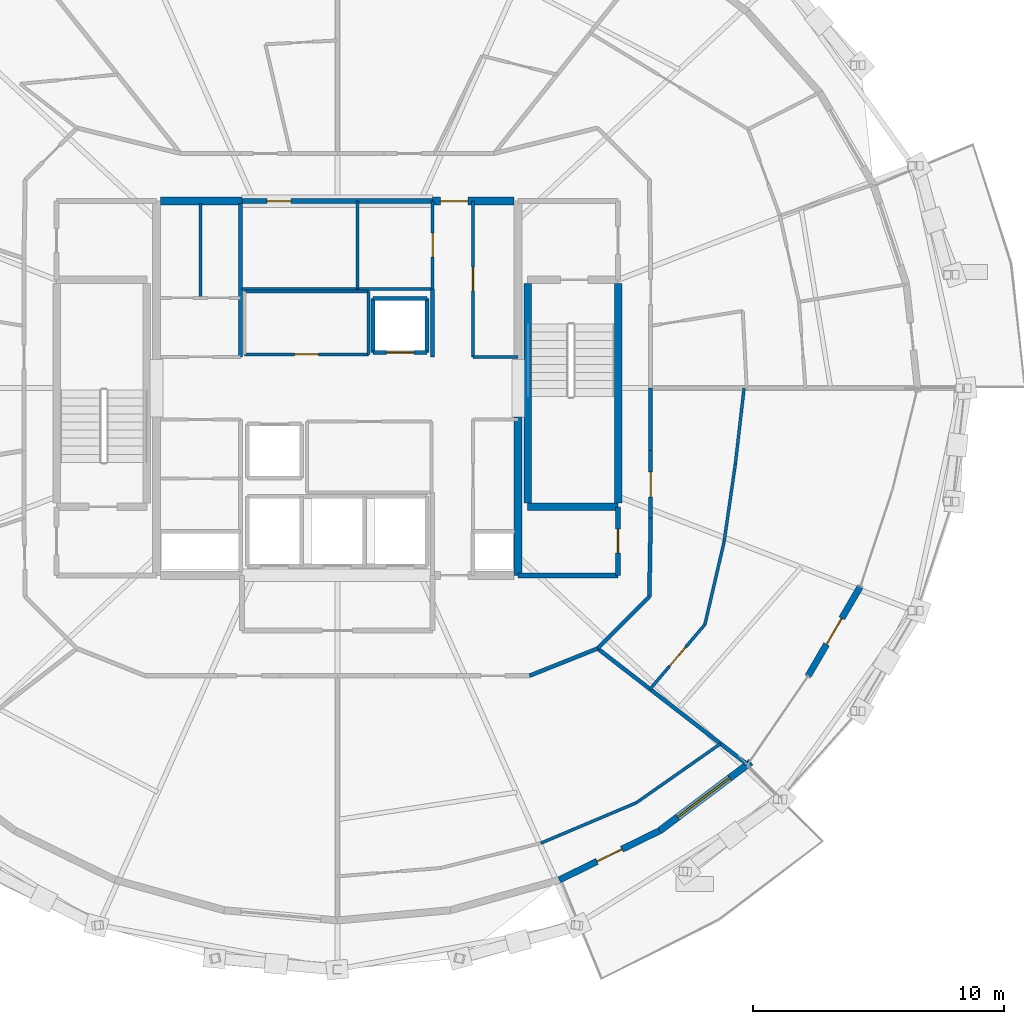
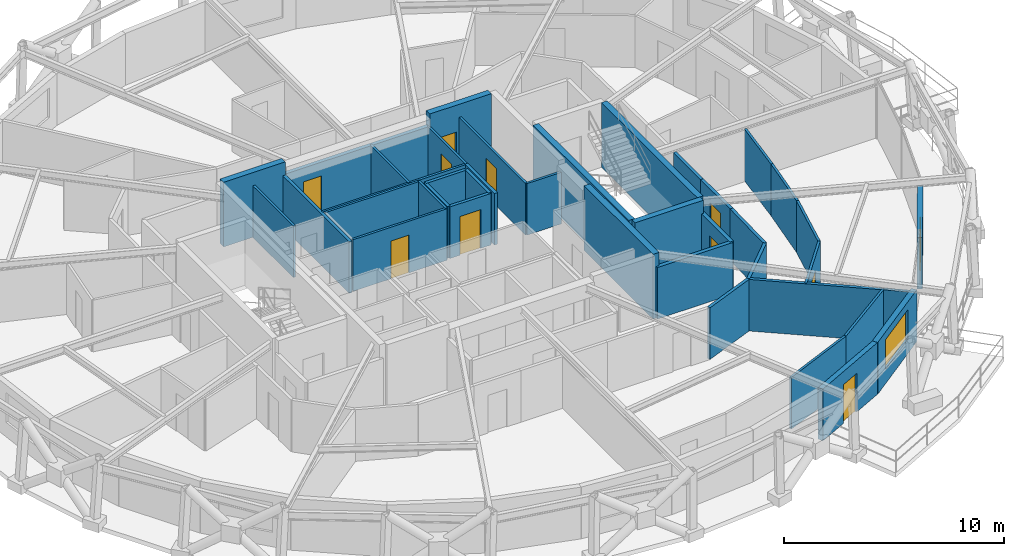
# One storey, part 9 of 12: 39 walls, 11 doors, 1 window, 12 openings.
"""IFC4 building model written with IfcOpenShell, lengths in metres."""

from ifc_helpers import new_model, si_unit, direction, frame, frame_2d, origin, place, context, subcontext, project, spatial, rectangle, extrude, material, layer, layer_set, type_object, element, fill, save


model = new_model("IFC4")

# Units and contexts
model_context = context("Model", 3, precision=1e-05, world=origin(), true_north=direction((0.0, 1.0)))
body_context = subcontext(model_context, "Body", "Model", "MODEL_VIEW")
ifc_project = project(units=[si_unit("LENGTHUNIT", "METRE"), si_unit("AREAUNIT", "SQUARE_METRE"), si_unit("VOLUMEUNIT", "CUBIC_METRE"), si_unit("PLANEANGLEUNIT", "RADIAN"), si_unit("MASSUNIT", "GRAM", prefix="KILO")], contexts=[model_context])

# Site, building, storey
site_placement = place(None, origin())
site = spatial("IfcSite", under=ifc_project, at=site_placement, CompositionType="ELEMENT")
building_placement = place(site_placement, origin())
building = spatial("IfcBuilding", under=site, at=building_placement, Name="Veldorina Hangang Commons", CompositionType="ELEMENT")
storey_placement = place(building_placement, frame((0.0, 0.0, 222.0)))
storey = spatial("IfcBuildingStorey", under=building, at=storey_placement, Name="L57", CompositionType="ELEMENT", Elevation=222.0)

# Walls
ifc_material_1 = material(Name="Concrete C50/60", Category="concrete")
ifc_layer_1 = layer(ifc_material_1, 0.320068359375)
ifc_layer_set_1 = layer_set([ifc_layer_1], Name="Concrete C50/60")
wall_type_1 = type_object("IfcWallType", Name="CW-RC320-C50", PredefinedType="SHEAR", material=ifc_layer_set_1)
wall_1_placement = place(storey_placement, frame((39.199951171875, 16.550048828125, 0.0), z_axis=(0.0, 0.0, 1.0), x_axis=(0.0, 1.0, 0.0)))
element("IfcWall", 1, at=wall_1_placement, inside=storey, type_object=wall_type_1, Name="L57 E south core shear wall", PredefinedType="SHEAR", context=body_context, shape_type="SweptSolid", body=[
    extrude(rectangle(XDim=6.300048828125, YDim=0.320068359375, at=frame_2d((3.14990234375, 0.0))), origin(), (0.0, 0.0, 1.0), 3.60009765625),
])
wall_2_placement = place(storey_placement, frame((24.9599609375, 31.449951171875, 0.0), z_axis=(0.0, 0.0, 1.0), x_axis=(1.0, 0.0, 0.0)))
element("IfcWall", 2, at=wall_2_placement, inside=storey, type_object=wall_type_1, Name="L57 north-west core shear wall", PredefinedType="SHEAR", context=body_context, shape_type="SweptSolid", body=[
    extrude(rectangle(XDim=3.239990234375, YDim=0.320068359375, at=frame_2d((1.6201171875, 0.0))), origin(), (0.0, 0.0, 1.0), 3.60009765625),
])

# Wall, opening, door
wall_3_placement = place(storey_placement, frame((35.800048828125, 31.449951171875, 0.0), z_axis=(0.0, 0.0, 1.0), x_axis=(1.0, 0.0, 0.0)))
wall_3 = element("IfcWall", 3, at=wall_3_placement, inside=storey, type_object=wall_type_1, Name="L57 north-east core shear wall", PredefinedType="SHEAR", context=body_context, shape_type="SweptSolid", body=[
    extrude(rectangle(XDim=3.239990234375, YDim=0.320068359375, at=frame_2d((1.6201171875, 0.0))), origin(), (0.0, 0.0, 1.0), 3.60009765625),
])
opening_1_placement = place(wall_3_placement, frame((0.300048828125, 0.0, 0.0)))
opening_1 = element("IfcOpeningElement", 4, at=opening_1_placement, cuts=wall_3, Name="Opening D-08", PredefinedType="OPENING", context=body_context, shape_type="SweptSolid", body=[
    extrude(rectangle(XDim=1.10009765625, YDim=2.10009765625, at=frame_2d((0.550048828125, 1.050048828125))), frame((0.0, 0.169921875, 0.0), z_axis=(0.0, -1.0, 0.0), x_axis=(1.0, 0.0, 0.0)), (0.0, 0.0, 1.0), 0.340087890625),
])
ifc_material_2 = material(Name="Steel Fire-Rated Smoke Seal", Category="steel")
door_type_1 = type_object("IfcDoorType", Name="DR-FIRE-1100", OperationType="SINGLE_SWING_RIGHT", PredefinedType="DOOR", material=ifc_material_2)
door_1_placement = place(opening_1_placement, origin())
door_1 = element("IfcDoor", 5, at=door_1_placement, inside=storey, type_object=door_type_1, Name="L57 central lift lobby north corridor door", OperationType="SINGLE_SWING_LEFT", OverallHeight=2.10009765625, OverallWidth=1.10009765625, PredefinedType="DOOR", context=body_context, shape_type="SweptSolid", body=[
    extrude(rectangle(XDim=1.10009765625, YDim=2.10009765625, at=frame_2d((0.550048828125, 1.050048828125))), frame((0.0, 0.02490234375, 0.0), z_axis=(0.0, -1.0, 0.0), x_axis=(1.0, 0.0, 0.0)), (0.0, 0.0, 1.0), 0.050048828125),
])
fill(opening_1, door_1)

ifc_material_3 = material(Name="Stone Roman Travertine", Category="masonry")
ifc_layer_2 = layer(ifc_material_3, 0.260009765625)
ifc_layer_set_2 = layer_set([ifc_layer_2], Name="Stone Roman Travertine")
wall_type_2 = type_object("IfcWallType", Name="EW-LOGGIA-260", PredefinedType="STANDARD", material=ifc_layer_set_2)
wall_4_placement = place(storey_placement, frame((40.842041015625, 4.418701171875, 0.0), z_axis=(0.0, 0.0, 1.0), x_axis=(0.897868409718, 0.440263919519, 0.0)))
wall_4 = element("IfcWall", 6, at=wall_4_placement, inside=storey, type_object=wall_type_2, Name="L57 sky-garden loggia portal wall 26", PredefinedType="STANDARD", context=body_context, shape_type="SweptSolid", body=[
    extrude(rectangle(XDim=4.448974609375, YDim=0.260009765625, at=frame_2d((2.224609375, 0.0))), origin(), (0.0, 0.0, 1.0), 2.8798828125),
])
opening_2_placement = place(wall_4_placement, frame((1.674560546875, 0.0, 0.0)))
opening_2 = element("IfcOpeningElement", 7, at=opening_2_placement, cuts=wall_4, Name="Opening BD-1100", PredefinedType="OPENING", context=body_context, shape_type="SweptSolid", body=[
    extrude(rectangle(XDim=1.10009765625, YDim=2.14990234375, at=frame_2d((0.550048828125, 1.074951171875))), frame((0.0, 0.14013671875, 0.0), z_axis=(0.0, -1.0, 0.0), x_axis=(1.0, 0.0, 0.0)), (0.0, 0.0, 1.0), 0.280029296875),
])
ifc_material_4 = material(Name="Glass Thermal Aluminium Frame", Category="aluminium")
door_type_2 = type_object("IfcDoorType", Name="DR-EXT-BAL1100", OperationType="SINGLE_SWING_RIGHT", PredefinedType="DOOR", material=ifc_material_4)
door_2_placement = place(opening_2_placement, origin())
door_2 = element("IfcDoor", 8, at=door_2_placement, inside=storey, type_object=door_type_2, Name="L57 tree balcony glazed exterior door 26", OperationType="SINGLE_SWING_LEFT", OverallHeight=2.14990234375, OverallWidth=1.10009765625, PredefinedType="DOOR", context=body_context, shape_type="SweptSolid", body=[
    extrude(rectangle(XDim=1.10009765625, YDim=2.14990234375, at=frame_2d((0.550048828125, 1.074951171875))), frame((0.0, 0.02490234375, 0.0), z_axis=(0.0, -1.0, 0.0), x_axis=(1.0, 0.0, 0.0)), (0.0, 0.0, 1.0), 0.050048828125),
])
fill(opening_2, door_2)

wall_5_placement = place(storey_placement, frame((50.745849609375, 12.5361328125, 0.0), z_axis=(0.0, 0.0, 1.0), x_axis=(0.504326577589, 0.86351300114, 0.0)))
wall_5 = element("IfcWall", 9, at=wall_5_placement, inside=storey, type_object=wall_type_2, Name="L57 sky-garden loggia portal wall 29", PredefinedType="STANDARD", context=body_context, shape_type="SweptSolid", body=[
    extrude(rectangle(XDim=4.13134765625, YDim=0.260009765625, at=frame_2d((2.065673828125, 0.0))), origin(), (0.0, 0.0, 1.0), 2.8798828125),
])
opening_3_placement = place(wall_5_placement, frame((1.465576171875, 0.0, 0.0)))
opening_3 = element("IfcOpeningElement", 10, at=opening_3_placement, cuts=wall_5, Name="Opening BD-1200", PredefinedType="OPENING", context=body_context, shape_type="SweptSolid", body=[
    extrude(rectangle(XDim=1.199951171875, YDim=2.14990234375, at=frame_2d((0.60009765625, 1.074951171875))), frame((0.0, 0.14013671875, 0.0), z_axis=(0.0, -1.0, 0.0), x_axis=(1.0, 0.0, 0.0)), (0.0, 0.0, 1.0), 0.280029296875),
])
door_type_3 = type_object("IfcDoorType", Name="DR-EXT-LOG1200", OperationType="SINGLE_SWING_LEFT", PredefinedType="DOOR", material=ifc_material_4)
door_3_placement = place(opening_3_placement, origin())
door_3 = element("IfcDoor", 11, at=door_3_placement, inside=storey, type_object=door_type_3, Name="L57 loggia glazed exterior door 29", OperationType="SINGLE_SWING_RIGHT", OverallHeight=2.14990234375, OverallWidth=1.199951171875, PredefinedType="DOOR", context=body_context, shape_type="SweptSolid", body=[
    extrude(rectangle(XDim=1.199951171875, YDim=2.14990234375, at=frame_2d((0.60009765625, 1.074951171875))), frame((0.0, 0.02490234375, 0.0), z_axis=(0.0, -1.0, 0.0), x_axis=(1.0, 0.0, 0.0)), (0.0, 0.0, 1.0), 0.050048828125),
])
fill(opening_3, door_3)

# Wall, opening, window
ifc_layer_3 = layer(ifc_material_3, 0.280029296875)
ifc_layer_set_3 = layer_set([ifc_layer_3], Name="Stone Roman Travertine")
wall_type_3 = type_object("IfcWallType", Name="EW-TRAV-280", PredefinedType="STANDARD", material=ifc_layer_set_3)
wall_6_placement = place(storey_placement, frame((44.836669921875, 6.37744140625, 0.0), z_axis=(0.0, 0.0, 1.0), x_axis=(0.798935715906, 0.601416429647, 0.0)))
wall_6 = element("IfcWall", 12, at=wall_6_placement, inside=storey, type_object=wall_type_3, Name="L57 travertine facade wall 27", PredefinedType="STANDARD", context=body_context, shape_type="SweptSolid", body=[
    extrude(rectangle(XDim=4.54736328125, YDim=0.280029296875, at=frame_2d((2.273681640625, 0.0))), origin(), (0.0, 0.0, 1.0), 2.8798828125),
])
opening_4_placement = place(wall_6_placement, frame((0.891357421875, 0.0, 0.800048828125)))
opening_4 = element("IfcOpeningElement", 13, at=opening_4_placement, cuts=wall_6, Name="Opening W-02", PredefinedType="OPENING", context=body_context, shape_type="SweptSolid", body=[
    extrude(rectangle(XDim=2.60009765625, YDim=1.64990234375, at=frame_2d((1.300048828125, 0.824951171875))), frame((0.0, 0.14990234375, 0.0), z_axis=(0.0, -1.0, 0.0), x_axis=(1.0, 0.0, 0.0)), (0.0, 0.0, 1.0), 0.300048828125),
])
ifc_material_5 = material(Name="Glass Low-E Triple IGU", Category="glass")
window_type = type_object("IfcWindowType", Name="WIN-TWR-2600", PartitioningType="SINGLE_PANEL", PredefinedType="WINDOW", material=ifc_material_5)
window_placement = place(opening_4_placement, origin())
window = element("IfcWindow", 14, at=window_placement, inside=storey, type_object=window_type, Name="L57 facade window 27", OverallHeight=1.64990234375, OverallWidth=2.60009765625, PartitioningType="SINGLE_PANEL", PredefinedType="WINDOW", context=body_context, shape_type="SweptSolid", body=[
    extrude(rectangle(XDim=2.60009765625, YDim=1.64990234375, at=frame_2d((1.300048828125, 0.824951171875))), frame((0.0, 0.030029296875, 0.0), z_axis=(0.0, -1.0, 0.0), x_axis=(1.0, 0.0, 0.0)), (0.0, 0.0, 1.0), 0.06005859375),
])
fill(opening_4, window)

# Walls
ifc_layer_4 = layer(ifc_material_1, 0.300048828125)
ifc_layer_set_4 = layer_set([ifc_layer_4], Name="Concrete C50/60")
wall_type_4 = type_object("IfcWallType", Name="SW-STAIR-300", PredefinedType="SHEAR", material=ifc_layer_set_4)
for number, where, z_axis, x_axis, name in (
    (15, (43.179931640625, 19.429931640625, 0.0), (0.0, 0.0, 1.0), (0.0, 1.0, 0.0), "L57 ST2 outer stair shear wall"),
    (16, (39.580078125, 19.429931640625, 0.0), (0.0, 0.0, 1.0), (0.0, 1.0, 0.0), "L57 ST2 inner stair shear wall"),
):
    element("IfcWall", number, at=place(storey_placement, frame(where, z_axis=z_axis, x_axis=x_axis)), inside=storey, type_object=wall_type_4, Name=name, PredefinedType="SHEAR", context=body_context, shape_type="SweptSolid", body=[
        extrude(rectangle(XDim=8.739990234375, YDim=0.300048828125, at=frame_2d((4.3701171875, 0.0))), origin(), (0.0, 0.0, 1.0), 3.60009765625),
    ])
wall_7_placement = place(storey_placement, frame((39.580078125, 19.280029296875, 0.0), z_axis=(0.0, 0.0, 1.0), x_axis=(1.0, 0.0, 0.0)))
element("IfcWall", 17, at=wall_7_placement, inside=storey, type_object=wall_type_4, Name="L57 ST2 south stair shear wall", PredefinedType="SHEAR", context=body_context, shape_type="SweptSolid", body=[
    extrude(rectangle(XDim=3.599853515625, YDim=0.300048828125, at=frame_2d((1.7998046875, 0.0))), origin(), (0.0, 0.0, 1.0), 3.60009765625),
])
ifc_material_6 = material(Name="Gypsum Fire-Rated Twin Stud Wall", Category="gypsum")
ifc_layer_5 = layer(ifc_material_6, 0.159912109375)
ifc_layer_set_5 = layer_set([ifc_layer_5], Name="Gypsum Fire-Rated Twin Stud Wall")
wall_type_5 = type_object("IfcWallType", Name="WL-FIRE-160", PredefinedType="SOLIDWALL", material=ifc_layer_set_5)
wall_8_placement = place(storey_placement, frame((35.800048828125, 25.25, 0.0), z_axis=(0.0, 0.0, 1.0), x_axis=(0.0, 1.0, 0.0)))
element("IfcWall", 18, at=wall_8_placement, inside=storey, type_object=wall_type_5, Name="L57 Lift passage NW lower wall 011", PredefinedType="SOLIDWALL", context=body_context, shape_type="SweptSolid", body=[
    extrude(rectangle(XDim=2.699951171875, YDim=0.159912109375, at=frame_2d((1.35009765625, 0.0))), origin(), (0.0, 0.0, 1.0), 2.8701171875),
])

# Wall, opening, door
wall_9_placement = place(storey_placement, frame((33.419921875, 25.419921875, 0.0), z_axis=(0.0, 0.0, 1.0), x_axis=(1.0, 0.0, 0.0)))
wall_9 = element("IfcWall", 19, at=wall_9_placement, inside=storey, type_object=wall_type_5, Name="L57 Mid-high front shaft wall 015", PredefinedType="SOLIDWALL", context=body_context, shape_type="SweptSolid", body=[
    extrude(rectangle(XDim=2.16015625, YDim=0.159912109375, at=frame_2d((1.080078125, 0.0))), origin(), (0.0, 0.0, 1.0), 2.8701171875),
])
opening_5_placement = place(wall_9_placement, frame((0.530029296875, 0.0, 0.0)))
opening_5 = element("IfcOpeningElement", 20, at=opening_5_placement, cuts=wall_9, Name="Opening LD-01", PredefinedType="OPENING", context=body_context, shape_type="SweptSolid", body=[
    extrude(rectangle(XDim=1.10009765625, YDim=2.14990234375, at=frame_2d((0.550048828125, 1.074951171875))), frame((0.0, 0.08984375, 0.0), z_axis=(0.0, -1.0, 0.0), x_axis=(1.0, 0.0, 0.0)), (0.0, 0.0, 1.0), 0.179931640625),
])
ifc_material_7 = material(Name="Stainless Steel Brushed Lift Door", Category="steel")
door_type_4 = type_object("IfcDoorType", Name="DR-LIFT-1100", OperationType="SLIDING_TO_LEFT", PredefinedType="DOOR", material=ifc_material_7)
door_4_placement = place(opening_5_placement, origin())
door_4 = element("IfcDoor", 21, at=door_4_placement, inside=storey, type_object=door_type_4, Name="L57 Lift PL-H1 landing door 006", OperationType="SLIDING_TO_RIGHT", OverallHeight=2.14990234375, OverallWidth=1.10009765625, PredefinedType="DOOR", context=body_context, shape_type="SweptSolid", body=[
    extrude(rectangle(XDim=1.10009765625, YDim=2.14990234375, at=frame_2d((0.550048828125, 1.074951171875))), frame((0.0, 0.02490234375, 0.0), z_axis=(0.0, -1.0, 0.0), x_axis=(1.0, 0.0, 0.0)), (0.0, 0.0, 1.0), 0.050048828125),
])
fill(opening_5, door_4)

# Walls
for number, where, z_axis, x_axis, name in (
    (22, (33.419921875, 27.580078125, 0.0), (0.0, 0.0, 1.0), (1.0, 0.0, 0.0), "L57 Mid-high rear shaft wall 016"),
    (23, (33.419921875, 25.419921875, 0.0), (0.0, 0.0, 1.0), (0.0, 1.0, 0.0), "L57 PL-H1 west shaft wall 017"),
    (24, (35.580078125, 25.419921875, 0.0), (0.0, 0.0, 1.0), (0.0, 1.0, 0.0), "L57 PL-H1 east shaft wall 018"),
):
    element("IfcWall", number, at=place(storey_placement, frame(where, z_axis=z_axis, x_axis=x_axis)), inside=storey, type_object=wall_type_5, Name=name, PredefinedType="SOLIDWALL", context=body_context, shape_type="SweptSolid", body=[
        extrude(rectangle(XDim=2.16015625, YDim=0.159912109375, at=frame_2d((1.080078125, 0.0))), origin(), (0.0, 0.0, 1.0), 2.8701171875),
    ])
wall_10_placement = place(storey_placement, frame((28.14990234375, 25.25, 0.0), z_axis=(0.0, 0.0, 1.0), x_axis=(0.0, 1.0, 0.0)))
element("IfcWall", 25, at=wall_10_placement, inside=storey, type_object=wall_type_5, Name="L57 NW core inner wall 044", PredefinedType="SOLIDWALL", context=body_context, shape_type="SweptSolid", body=[
    extrude(rectangle(XDim=6.10009765625, YDim=0.159912109375, at=frame_2d((3.050048828125, 0.0))), origin(), (0.0, 0.0, 1.0), 2.8701171875),
])
wall_11_placement = place(storey_placement, frame((39.650634765625, 12.550048828125, 0.0), z_axis=(0.0, 0.0, 1.0), x_axis=(0.92856882165, 0.371160266542, 0.0)))
element("IfcWall", 26, at=wall_11_placement, inside=storey, type_object=wall_type_5, Name="L57 Compact collar outer wall 27 081", PredefinedType="SOLIDWALL", context=body_context, shape_type="SweptSolid", body=[
    extrude(rectangle(XDim=2.923095703125, YDim=0.159912109375, at=frame_2d((1.46142578125, 0.0))), origin(), (0.0, 0.0, 1.0), 2.8701171875),
])
wall_12_placement = place(storey_placement, frame((42.364990234375, 13.635009765625, 0.0), z_axis=(0.0, 0.0, 1.0), x_axis=(0.707106781187, 0.707106781187, 0.0)))
element("IfcWall", 27, at=wall_12_placement, inside=storey, type_object=wall_type_5, Name="L57 Compact collar outer wall 28 082", PredefinedType="SOLIDWALL", context=body_context, shape_type="SweptSolid", body=[
    extrude(rectangle(XDim=2.915771484375, YDim=0.159912109375, at=frame_2d((1.4580078125, 0.0))), origin(), (0.0, 0.0, 1.0), 2.8701171875),
])
wall_13_placement = place(storey_placement, frame((44.4267578125, 15.69677734375, 0.0), z_axis=(0.0, 0.0, 1.0), x_axis=(0.016981035134, 0.999855811828, 0.0)))
element("IfcWall", 28, at=wall_13_placement, inside=storey, type_object=wall_type_5, Name="L57 Compact collar outer wall 29 083", PredefinedType="SOLIDWALL", context=body_context, shape_type="SweptSolid", body=[
    extrude(rectangle(XDim=3.13427734375, YDim=0.159912109375, at=frame_2d((1.567138671875, 0.0))), origin(), (0.0, 0.0, 1.0), 2.8701171875),
])

# Wall, opening, door
wall_14_placement = place(storey_placement, frame((44.47998046875, 18.83056640625, 0.0), z_axis=(0.0, 0.0, 1.0), x_axis=(0.0, 1.0, 0.0)))
wall_14 = element("IfcWall", 29, at=wall_14_placement, inside=storey, type_object=wall_type_5, Name="L57 Compact collar outer wall 30 084", PredefinedType="SOLIDWALL", context=body_context, shape_type="SweptSolid", body=[
    extrude(rectangle(XDim=2.68701171875, YDim=0.159912109375, at=frame_2d((1.343505859375, 0.0))), origin(), (0.0, 0.0, 1.0), 2.8701171875),
])
opening_6_placement = place(wall_14_placement, frame((0.843505859375, 0.0, 0.0)))
opening_6 = element("IfcOpeningElement", 30, at=opening_6_placement, cuts=wall_14, Name="Opening D-05", PredefinedType="OPENING", context=body_context, shape_type="SweptSolid", body=[
    extrude(rectangle(XDim=1.0, YDim=2.10009765625, at=frame_2d((0.5, 1.050048828125))), frame((0.0, 0.08984375, 0.0), z_axis=(0.0, -1.0, 0.0), x_axis=(1.0, 0.0, 0.0)), (0.0, 0.0, 1.0), 0.179931640625),
])
ifc_material_8 = material(Name="Timber Solid Core Acoustic", Category="wood")
door_type_5 = type_object("IfcDoorType", Name="DR-INT-1000", OperationType="SINGLE_SWING_RIGHT", PredefinedType="DOOR", material=ifc_material_8)
door_5_placement = place(opening_6_placement, origin())
door_5 = element("IfcDoor", 31, at=door_5_placement, inside=storey, type_object=door_type_5, Name="L57 Commons alcove door 022", OperationType="SINGLE_SWING_RIGHT", OverallHeight=2.10009765625, OverallWidth=1.0, PredefinedType="DOOR", context=body_context, shape_type="SweptSolid", body=[
    extrude(rectangle(XDim=1.0, YDim=2.10009765625, at=frame_2d((0.5, 1.050048828125))), frame((0.0, 0.02490234375, 0.0), z_axis=(0.0, -1.0, 0.0), x_axis=(1.0, 0.0, 0.0)), (0.0, 0.0, 1.0), 0.050048828125),
])
fill(opening_6, door_5)

# Walls
wall_15_placement = place(storey_placement, frame((44.47998046875, 21.517578125, 0.0), z_axis=(0.0, 0.0, 1.0), x_axis=(0.0, 1.0, 0.0)))
element("IfcWall", 32, at=wall_15_placement, inside=storey, type_object=wall_type_5, Name="L57 Compact collar outer wall 31 085", PredefinedType="SOLIDWALL", context=body_context, shape_type="SweptSolid", body=[
    extrude(rectangle(XDim=2.482421875, YDim=0.159912109375, at=frame_2d((1.2412109375, 0.0))), origin(), (0.0, 0.0, 1.0), 2.8701171875),
])
wall_16_placement = place(storey_placement, frame((42.364990234375, 13.635009765625, 0.0), z_axis=(0.0, 0.0, 1.0), x_axis=(0.790881200299, -0.611969710863, 0.0)))
element("IfcWall", 33, at=wall_16_placement, inside=storey, type_object=wall_type_5, Name="L57 Unit party wall 28 086", PredefinedType="SOLIDWALL", context=body_context, shape_type="SweptSolid", body=[
    extrude(rectangle(XDim=7.50244140625, YDim=0.159912109375, at=frame_2d((3.751220703125, 0.0))), origin(), (0.0, 0.0, 1.0), 2.8701171875),
])

# Wall, opening, door
ifc_material_9 = material(Name="Concrete Blockwork Fire Wall C30/37", Category="masonry")
ifc_layer_6 = layer(ifc_material_9, 0.199951171875)
ifc_layer_set_6 = layer_set([ifc_layer_6], Name="Concrete Blockwork Fire Wall C30/37")
wall_type_6 = type_object("IfcWallType", Name="WL-FIRE-200", PredefinedType="SOLIDWALL", material=ifc_layer_set_6)
wall_17_placement = place(storey_placement, frame((43.179931640625, 16.550048828125, 0.0), z_axis=(0.0, 0.0, 1.0), x_axis=(0.0, 1.0, 0.0)))
wall_17 = element("IfcWall", 34, at=wall_17_placement, inside=storey, type_object=wall_type_6, Name="L57 SE core room outer wall 007", PredefinedType="SOLIDWALL", context=body_context, shape_type="SweptSolid", body=[
    extrude(rectangle(XDim=2.72998046875, YDim=0.199951171875, at=frame_2d((1.364990234375, 0.0))), origin(), (0.0, 0.0, 1.0), 2.8701171875),
])
opening_7_placement = place(wall_17_placement, frame((0.889892578125, 0.0, 0.0)))
opening_7 = element("IfcOpeningElement", 35, at=opening_7_placement, cuts=wall_17, Name="Opening D-02", PredefinedType="OPENING", context=body_context, shape_type="SweptSolid", body=[
    extrude(rectangle(XDim=0.949951171875, YDim=2.10009765625, at=frame_2d((0.47509765625, 1.050048828125))), frame((0.0, 0.10986328125, 0.0), z_axis=(0.0, -1.0, 0.0), x_axis=(1.0, 0.0, 0.0)), (0.0, 0.0, 1.0), 0.219970703125),
])
door_type_6 = type_object("IfcDoorType", Name="DR-INT-950", OperationType="SINGLE_SWING_LEFT", PredefinedType="DOOR", material=ifc_material_8)
door_6_placement = place(opening_7_placement, origin())
door_6 = element("IfcDoor", 36, at=door_6_placement, inside=storey, type_object=door_type_6, Name="L57 SE core WC door 004", OperationType="SINGLE_SWING_RIGHT", OverallHeight=2.10009765625, OverallWidth=0.949951171875, PredefinedType="DOOR", context=body_context, shape_type="SweptSolid", body=[
    extrude(rectangle(XDim=0.949951171875, YDim=2.10009765625, at=frame_2d((0.47509765625, 1.050048828125))), frame((0.0, 0.02490234375, 0.0), z_axis=(0.0, -1.0, 0.0), x_axis=(1.0, 0.0, 0.0)), (0.0, 0.0, 1.0), 0.050048828125),
])
fill(opening_7, door_6)

# Wall
wall_18_placement = place(storey_placement, frame((39.199951171875, 16.550048828125, 0.0), z_axis=(0.0, 0.0, 1.0), x_axis=(1.0, 0.0, 0.0)))
element("IfcWall", 37, at=wall_18_placement, inside=storey, type_object=wall_type_6, Name="L57 SE core room south wall 008", PredefinedType="SOLIDWALL", context=body_context, shape_type="SweptSolid", body=[
    extrude(rectangle(XDim=3.97998046875, YDim=0.199951171875, at=frame_2d((1.989990234375, 0.0))), origin(), (0.0, 0.0, 1.0), 2.8701171875),
])

# Wall, opening, door
wall_19_placement = place(storey_placement, frame((28.199951171875, 31.449951171875, 0.0), z_axis=(0.0, 0.0, 1.0), x_axis=(1.0, 0.0, 0.0)))
wall_19 = element("IfcWall", 38, at=wall_19_placement, inside=storey, type_object=wall_type_6, Name="L57 Merged north core wall 029", PredefinedType="SOLIDWALL", context=body_context, shape_type="SweptSolid", body=[
    extrude(rectangle(XDim=7.60009765625, YDim=0.199951171875, at=frame_2d((3.800048828125, 0.0))), origin(), (0.0, 0.0, 1.0), 2.8701171875),
])
opening_8_placement = place(wall_19_placement, frame((1.0, 0.0, 0.0)))
opening_8 = element("IfcOpeningElement", 39, at=opening_8_placement, cuts=wall_19, Name="Opening D-02", PredefinedType="OPENING", context=body_context, shape_type="SweptSolid", body=[
    extrude(rectangle(XDim=0.949951171875, YDim=2.10009765625, at=frame_2d((0.47509765625, 1.050048828125))), frame((0.0, 0.10986328125, 0.0), z_axis=(0.0, -1.0, 0.0), x_axis=(1.0, 0.0, 0.0)), (0.0, 0.0, 1.0), 0.219970703125),
])
door_7_placement = place(opening_8_placement, origin())
door_7 = element("IfcDoor", 40, at=door_7_placement, inside=storey, type_object=door_type_6, Name="L57 Core study alcove door 011", OperationType="SINGLE_SWING_LEFT", OverallHeight=2.10009765625, OverallWidth=0.949951171875, PredefinedType="DOOR", context=body_context, shape_type="SweptSolid", body=[
    extrude(rectangle(XDim=0.949951171875, YDim=2.10009765625, at=frame_2d((0.47509765625, 1.050048828125))), frame((0.0, 0.02490234375, 0.0), z_axis=(0.0, -1.0, 0.0), x_axis=(1.0, 0.0, 0.0)), (0.0, 0.0, 1.0), 0.050048828125),
])
fill(opening_8, door_7)

# Wall
ifc_material_10 = material(Name="Gypsum Acoustic Stud Partition", Category="gypsum")
ifc_layer_7 = layer(ifc_material_10, 0.1201171875)
ifc_layer_set_7 = layer_set([ifc_layer_7], Name="Gypsum Acoustic Stud Partition")
wall_type_7 = type_object("IfcWallType", Name="WL-PART-120", PredefinedType="PARTITIONING", material=ifc_layer_set_7)
wall_20_placement = place(storey_placement, frame((28.199951171875, 27.949951171875, 0.0), z_axis=(0.0, 0.0, 1.0), x_axis=(1.0, 0.0, 0.0)))
element("IfcWall", 41, at=wall_20_placement, inside=storey, type_object=wall_type_7, Name="L57 Merged north south wall 030", PredefinedType="PARTITIONING", context=body_context, shape_type="SweptSolid", body=[
    extrude(rectangle(XDim=7.60009765625, YDim=0.1201171875, at=frame_2d((3.800048828125, 0.0))), origin(), (0.0, 0.0, 1.0), 2.8701171875),
])

# Wall, opening, door
wall_21_placement = place(storey_placement, frame((35.800048828125, 27.949951171875, 0.0), z_axis=(0.0, 0.0, 1.0), x_axis=(0.0, 1.0, 0.0)))
wall_21 = element("IfcWall", 42, at=wall_21_placement, inside=storey, type_object=wall_type_7, Name="L57 Merged north east wall 031", PredefinedType="PARTITIONING", context=body_context, shape_type="SweptSolid", body=[
    extrude(rectangle(XDim=3.5, YDim=0.1201171875, at=frame_2d((1.75, 0.0))), origin(), (0.0, 0.0, 1.0), 2.8701171875),
])
opening_9_placement = place(wall_21_placement, frame((1.27490234375, 0.0, 0.0)))
opening_9 = element("IfcOpeningElement", 43, at=opening_9_placement, cuts=wall_21, Name="Opening D-02", PredefinedType="OPENING", context=body_context, shape_type="SweptSolid", body=[
    extrude(rectangle(XDim=0.949951171875, YDim=2.10009765625, at=frame_2d((0.47509765625, 1.050048828125))), frame((0.0, 0.070068359375, 0.0), z_axis=(0.0, -1.0, 0.0), x_axis=(1.0, 0.0, 0.0)), (0.0, 0.0, 1.0), 0.14013671875),
])
door_8_placement = place(opening_9_placement, origin())
door_8 = element("IfcDoor", 44, at=door_8_placement, inside=storey, type_object=door_type_6, Name="L57 Core linen store door 012", OperationType="SINGLE_SWING_RIGHT", OverallHeight=2.10009765625, OverallWidth=0.949951171875, PredefinedType="DOOR", context=body_context, shape_type="SweptSolid", body=[
    extrude(rectangle(XDim=0.949951171875, YDim=2.10009765625, at=frame_2d((0.47509765625, 1.050048828125))), frame((0.0, 0.02490234375, 0.0), z_axis=(0.0, -1.0, 0.0), x_axis=(1.0, 0.0, 0.0)), (0.0, 0.0, 1.0), 0.050048828125),
])
fill(opening_9, door_8)

# Wall
wall_22_placement = place(storey_placement, frame((32.800048828125, 27.949951171875, 0.0), z_axis=(0.0, 0.0, 1.0), x_axis=(0.0, 1.0, 0.0)))
element("IfcWall", 45, at=wall_22_placement, inside=storey, type_object=wall_type_7, Name="L57 Merged north split wall 032", PredefinedType="PARTITIONING", context=body_context, shape_type="SweptSolid", body=[
    extrude(rectangle(XDim=3.5, YDim=0.1201171875, at=frame_2d((1.75, 0.0))), origin(), (0.0, 0.0, 1.0), 2.8701171875),
])

# Wall, opening, door
wall_23_placement = place(storey_placement, frame((28.300048828125, 25.35009765625, 0.0), z_axis=(0.0, 0.0, 1.0), x_axis=(1.0, 0.0, 0.0)))
wall_23 = element("IfcWall", 46, at=wall_23_placement, inside=storey, type_object=wall_type_7, Name="L57 Merged mid-bank south wall 033", PredefinedType="PARTITIONING", context=body_context, shape_type="SweptSolid", body=[
    extrude(rectangle(XDim=4.949951171875, YDim=0.1201171875, at=frame_2d((2.47509765625, 0.0))), origin(), (0.0, 0.0, 1.0), 2.8701171875),
])
opening_10_placement = place(wall_23_placement, frame((2.0, 0.0, 0.0)))
opening_10 = element("IfcOpeningElement", 47, at=opening_10_placement, cuts=wall_23, Name="Opening D-02", PredefinedType="OPENING", context=body_context, shape_type="SweptSolid", body=[
    extrude(rectangle(XDim=0.949951171875, YDim=2.10009765625, at=frame_2d((0.47509765625, 1.050048828125))), frame((0.0, 0.070068359375, 0.0), z_axis=(0.0, -1.0, 0.0), x_axis=(1.0, 0.0, 0.0)), (0.0, 0.0, 1.0), 0.14013671875),
])
door_9_placement = place(opening_10_placement, origin())
door_9 = element("IfcDoor", 48, at=door_9_placement, inside=storey, type_object=door_type_6, Name="L57 Quiet study room door 013", OperationType="SINGLE_SWING_LEFT", OverallHeight=2.10009765625, OverallWidth=0.949951171875, PredefinedType="DOOR", context=body_context, shape_type="SweptSolid", body=[
    extrude(rectangle(XDim=0.949951171875, YDim=2.10009765625, at=frame_2d((0.47509765625, 1.050048828125))), frame((0.0, 0.02490234375, 0.0), z_axis=(0.0, -1.0, 0.0), x_axis=(1.0, 0.0, 0.0)), (0.0, 0.0, 1.0), 0.050048828125),
])
fill(opening_10, door_9)

# Walls
wall_24_placement = place(storey_placement, frame((28.300048828125, 27.85009765625, 0.0), z_axis=(0.0, 0.0, 1.0), x_axis=(1.0, 0.0, 0.0)))
element("IfcWall", 49, at=wall_24_placement, inside=storey, type_object=wall_type_7, Name="L57 Merged mid-bank north wall 034", PredefinedType="PARTITIONING", context=body_context, shape_type="SweptSolid", body=[
    extrude(rectangle(XDim=4.949951171875, YDim=0.1201171875, at=frame_2d((2.47509765625, 0.0))), origin(), (0.0, 0.0, 1.0), 2.8701171875),
])
wall_25_placement = place(storey_placement, frame((33.25, 25.35009765625, 0.0), z_axis=(0.0, 0.0, 1.0), x_axis=(0.0, 1.0, 0.0)))
element("IfcWall", 50, at=wall_25_placement, inside=storey, type_object=wall_type_7, Name="L57 Merged mid-bank east wall 036", PredefinedType="PARTITIONING", context=body_context, shape_type="SweptSolid", body=[
    extrude(rectangle(XDim=2.5, YDim=0.1201171875, at=frame_2d((1.25, 0.0))), origin(), (0.0, 0.0, 1.0), 2.8701171875),
])

# Wall, opening, door
wall_26_placement = place(storey_placement, frame((37.39990234375, 25.25, 0.0), z_axis=(0.0, 0.0, 1.0), x_axis=(0.0, 1.0, 0.0)))
wall_26 = element("IfcWall", 51, at=wall_26_placement, inside=storey, type_object=wall_type_7, Name="L57 NE strip lobby wall 047", PredefinedType="PARTITIONING", context=body_context, shape_type="SweptSolid", body=[
    extrude(rectangle(XDim=6.199951171875, YDim=0.1201171875, at=frame_2d((3.10009765625, 0.0))), origin(), (0.0, 0.0, 1.0), 2.8701171875),
])
opening_11_placement = place(wall_26_placement, frame((2.625, 0.0, 0.0)))
opening_11 = element("IfcOpeningElement", 52, at=opening_11_placement, cuts=wall_26, Name="Opening D-02", PredefinedType="OPENING", context=body_context, shape_type="SweptSolid", body=[
    extrude(rectangle(XDim=0.949951171875, YDim=2.10009765625, at=frame_2d((0.47509765625, 1.050048828125))), frame((0.0, 0.070068359375, 0.0), z_axis=(0.0, -1.0, 0.0), x_axis=(1.0, 0.0, 0.0)), (0.0, 0.0, 1.0), 0.14013671875),
])
door_10_placement = place(opening_11_placement, origin())
door_10 = element("IfcDoor", 53, at=door_10_placement, inside=storey, type_object=door_type_6, Name="L57 Switchboard door 020", OperationType="SINGLE_SWING_RIGHT", OverallHeight=2.10009765625, OverallWidth=0.949951171875, PredefinedType="DOOR", context=body_context, shape_type="SweptSolid", body=[
    extrude(rectangle(XDim=0.949951171875, YDim=2.10009765625, at=frame_2d((0.47509765625, 1.050048828125))), frame((0.0, 0.02490234375, 0.0), z_axis=(0.0, -1.0, 0.0), x_axis=(1.0, 0.0, 0.0)), (0.0, 0.0, 1.0), 0.050048828125),
])
fill(opening_11, door_10)

# Walls
wall_27_placement = place(storey_placement, frame((37.39990234375, 25.25, 0.0), z_axis=(0.0, 0.0, 1.0), x_axis=(1.0, 0.0, 0.0)))
element("IfcWall", 54, at=wall_27_placement, inside=storey, type_object=wall_type_7, Name="L57 NE strip south return wall 048", PredefinedType="PARTITIONING", context=body_context, shape_type="SweptSolid", body=[
    extrude(rectangle(XDim=1.800048828125, YDim=0.1201171875, at=frame_2d((0.89990234375, 0.0))), origin(), (0.0, 0.0, 1.0), 2.8701171875),
])
wall_28_placement = place(storey_placement, frame((26.550048828125, 27.60009765625, 0.0), z_axis=(0.0, 0.0, 1.0), x_axis=(0.0, 1.0, 0.0)))
element("IfcWall", 55, at=wall_28_placement, inside=storey, type_object=wall_type_7, Name="L57 NW upper vertical split 052", PredefinedType="PARTITIONING", context=body_context, shape_type="SweptSolid", body=[
    extrude(rectangle(XDim=3.75, YDim=0.1201171875, at=frame_2d((1.875, 0.0))), origin(), (0.0, 0.0, 1.0), 2.8701171875),
])

# Wall, opening, door
wall_29_placement = place(storey_placement, frame((44.45556640625, 12.017333984375, 0.0), z_axis=(0.0, 0.0, 1.0), x_axis=(0.646892036506, 0.76258159767, 0.0)))
wall_29 = element("IfcWall", 56, at=wall_29_placement, inside=storey, type_object=wall_type_7, Name="L57 Lounge alcove split 0 087", PredefinedType="PARTITIONING", context=body_context, shape_type="SweptSolid", body=[
    extrude(rectangle(XDim=3.374267578125, YDim=0.1201171875, at=frame_2d((1.68701171875, 0.0))), origin(), (0.0, 0.0, 1.0), 2.8701171875),
])
opening_12_placement = place(wall_29_placement, frame((1.18701171875, 0.0, 0.0)))
opening_12 = element("IfcOpeningElement", 57, at=opening_12_placement, cuts=wall_29, Name="Opening D-05", PredefinedType="OPENING", context=body_context, shape_type="SweptSolid", body=[
    extrude(rectangle(XDim=1.0, YDim=2.10009765625, at=frame_2d((0.5, 1.050048828125))), frame((0.0, 0.070068359375, 0.0), z_axis=(0.0, -1.0, 0.0), x_axis=(1.0, 0.0, 0.0)), (0.0, 0.0, 1.0), 0.14013671875),
])
door_11_placement = place(opening_12_placement, origin())
door_11 = element("IfcDoor", 58, at=door_11_placement, inside=storey, type_object=door_type_5, Name="L57 Commons lounge door 023", OperationType="SINGLE_SWING_LEFT", OverallHeight=2.10009765625, OverallWidth=1.0, PredefinedType="DOOR", context=body_context, shape_type="SweptSolid", body=[
    extrude(rectangle(XDim=1.0, YDim=2.10009765625, at=frame_2d((0.5, 1.050048828125))), frame((0.0, 0.02490234375, 0.0), z_axis=(0.0, -1.0, 0.0), x_axis=(1.0, 0.0, 0.0)), (0.0, 0.0, 1.0), 0.050048828125),
])
fill(opening_12, door_11)

# Walls
wall_30_placement = place(storey_placement, frame((46.638427734375, 14.590576171875, 0.0), z_axis=(0.0, 0.0, 1.0), x_axis=(0.226460800709, 0.974020279944, 0.0)))
element("IfcWall", 59, at=wall_30_placement, inside=storey, type_object=wall_type_7, Name="L57 Lounge alcove split 1 088", PredefinedType="PARTITIONING", context=body_context, shape_type="SweptSolid", body=[
    extrude(rectangle(XDim=3.373291015625, YDim=0.1201171875, at=frame_2d((1.6865234375, 0.0))), origin(), (0.0, 0.0, 1.0), 2.8701171875),
])
wall_31_placement = place(storey_placement, frame((47.40234375, 17.876220703125, 0.0), z_axis=(0.0, 0.0, 1.0), x_axis=(0.143275351421, 0.989682865202, 0.0)))
element("IfcWall", 60, at=wall_31_placement, inside=storey, type_object=wall_type_7, Name="L57 Lounge alcove split 2 089", PredefinedType="PARTITIONING", context=body_context, shape_type="SweptSolid", body=[
    extrude(rectangle(XDim=3.133544921875, YDim=0.1201171875, at=frame_2d((1.56689453125, 0.0))), origin(), (0.0, 0.0, 1.0), 2.8701171875),
])
wall_32_placement = place(storey_placement, frame((47.851318359375, 20.9775390625, 0.0), z_axis=(0.0, 0.0, 1.0), x_axis=(0.114270782561, 0.993449640522, 0.0)))
element("IfcWall", 61, at=wall_32_placement, inside=storey, type_object=wall_type_7, Name="L57 Lounge alcove split 3 090", PredefinedType="PARTITIONING", context=body_context, shape_type="SweptSolid", body=[
    extrude(rectangle(XDim=3.04248046875, YDim=0.1201171875, at=frame_2d((1.521240234375, 0.0))), origin(), (0.0, 0.0, 1.0), 2.8701171875),
])
wall_33_placement = place(storey_placement, frame((40.104248046875, 5.88232421875, 0.0), z_axis=(0.0, 0.0, 1.0), x_axis=(0.921062804446, 0.389414060179, 0.0)))
element("IfcWall", 62, at=wall_33_placement, inside=storey, type_object=wall_type_7, Name="L57 Laundry split 2 120", PredefinedType="PARTITIONING", context=body_context, shape_type="SweptSolid", body=[
    extrude(rectangle(XDim=4.124755859375, YDim=0.1201171875, at=frame_2d((2.0625, 0.0))), origin(), (0.0, 0.0, 1.0), 2.8701171875),
])
wall_34_placement = place(storey_placement, frame((43.9033203125, 7.488525390625, 0.0), z_axis=(0.0, 0.0, 1.0), x_axis=(0.818664153196, 0.57427258708, 0.0)))
element("IfcWall", 63, at=wall_34_placement, inside=storey, type_object=wall_type_7, Name="L57 Laundry split 3 121", PredefinedType="PARTITIONING", context=body_context, shape_type="SweptSolid", body=[
    extrude(rectangle(XDim=4.103759765625, YDim=0.1201171875, at=frame_2d((2.0517578125, 0.0))), origin(), (0.0, 0.0, 1.0), 2.8701171875),
])

save(model, "model.ifc")
